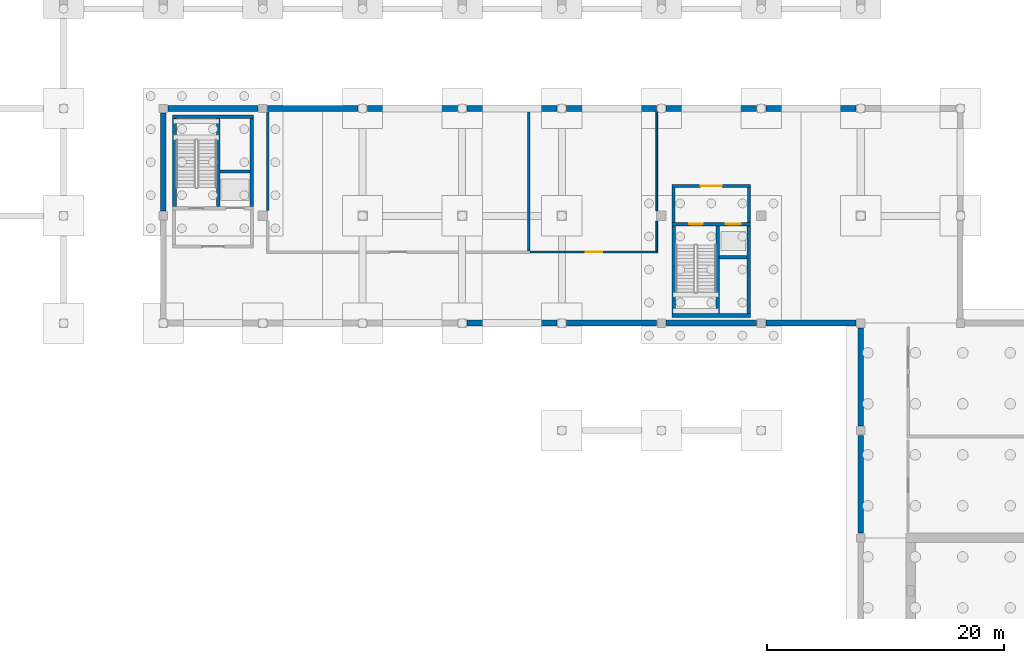
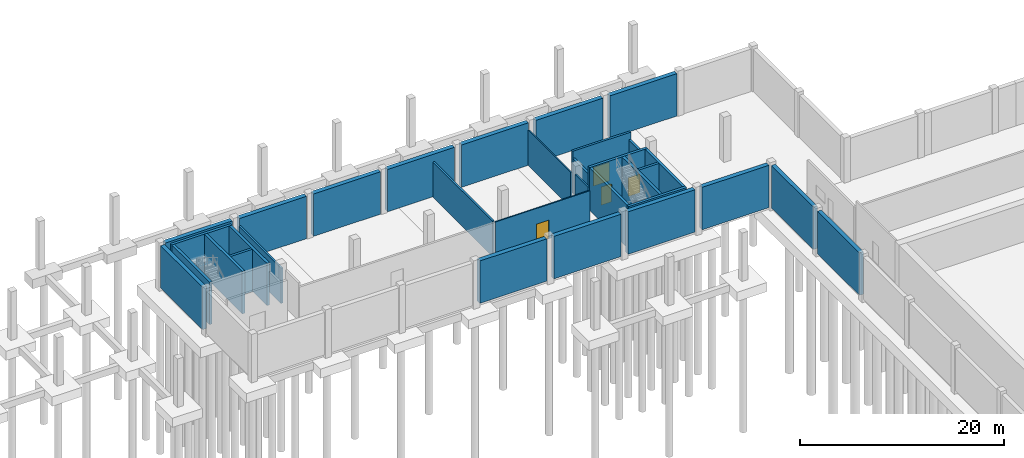
# One storey, part 10 of 18: 33 walls, 4 doors, 4 openings.
"""IFC4 building model written with IfcOpenShell, lengths in metres."""

import ifcopenshell
import ifcopenshell.guid

model = None  # the IFC model being written
_history = None  # IfcOwnerHistory: only IFC2X3 demands one
_inside = {}  # id of a spatial element -> (the spatial element, [elements in it])
_under = {}  # id of a project, library or spatial element -> (it, [spatial elements below it])
_declared = {}  # id of a project -> (the project, [libraries it declares])
_typed = {}  # id of a type object -> (the type object, [elements of that type])
_made_of = {}  # id of a material, layer set ... -> (it, [elements and type objects made of it])


def new_model(schema):
    """Start an empty IFC model of exactly this schema.

    Asked for "IFC4X3", IfcOpenShell would pick the latest addendum, in which some entities
    have other attributes; the version numbers below select the first issue.
    IFC2X3 requires an IfcOwnerHistory on every rooted entity: one is made here for all.
    """
    global model, _history
    if schema == "IFC4X3":
        model = ifcopenshell.file(schema_version=(4, 3, 0, 0))
    else:
        model = ifcopenshell.file(schema=schema)
    _inside.clear()
    _under.clear()
    _declared.clear()
    _typed.clear()
    _made_of.clear()
    _history = None
    if model.schema == "IFC2X3":
        org = make("IfcOrganization", Name="unknown")
        user = make(
            "IfcPersonAndOrganization",
            ThePerson=make("IfcPerson", FamilyName="unknown"),
            TheOrganization=org,
        )
        app = make(
            "IfcApplication",
            ApplicationDeveloper=org,
            Version="unknown",
            ApplicationFullName="unknown",
            ApplicationIdentifier="unknown",
        )
        _history = make(
            "IfcOwnerHistory",
            OwningUser=user,
            OwningApplication=app,
            ChangeAction="ADDED",
            CreationDate=0,
        )
    return model


def make(cls, **values):
    """One entity of the class cls with the attributes given. An attribute that is None is left unset."""
    return model.create_entity(
        cls, **{name: value for name, value in values.items() if value is not None}
    )


def rooted(cls, **values):
    """An entity with a GlobalId (a new one), such as an element, a storey or a relation."""
    return make(cls, GlobalId=ifcopenshell.guid.new(), OwnerHistory=_history, **values)


def si_unit(unit_type, name, prefix=None):
    """IfcSIUnit, for example si_unit("LENGTHUNIT", "METRE", prefix="MILLI")."""
    return make("IfcSIUnit", UnitType=unit_type, Prefix=prefix, Name=name)


def assignment(units):
    """IfcUnitAssignment: the units of a project."""
    return None if units is None else make("IfcUnitAssignment", Units=units)


def point(xyz):
    """IfcCartesianPoint."""
    return None if xyz is None else make("IfcCartesianPoint", Coordinates=xyz)


def direction(xyz):
    """IfcDirection."""
    return None if xyz is None else make("IfcDirection", DirectionRatios=xyz)


def frame(location, z_axis=None, x_axis=None):
    """IfcAxis2Placement3D, a coordinate frame: its origin and axes. An axis left out is left unset."""
    return make(
        "IfcAxis2Placement3D",
        Location=point(location),
        Axis=direction(z_axis),
        RefDirection=direction(x_axis),
    )


def frame_2d(location, x_axis=None):
    """IfcAxis2Placement2D, a coordinate frame in the plane: its origin and x axis."""
    return make(
        "IfcAxis2Placement2D", Location=point(location), RefDirection=direction(x_axis)
    )


def origin():
    """The frame at (0, 0, 0) with its axes left unset."""
    return frame((0.0, 0.0, 0.0))


def place(relative_to, where):
    """IfcLocalPlacement: puts the frame where relative to a parent placement (None: the world)."""
    return make(
        "IfcLocalPlacement", PlacementRelTo=relative_to, RelativePlacement=where
    )


def context(
    kind, dimensions, precision=None, world=None, true_north=None, identifier=None
):
    """IfcGeometricRepresentationContext, for example the 3D "Model" context."""
    return make(
        "IfcGeometricRepresentationContext",
        ContextIdentifier=identifier,
        ContextType=kind,
        CoordinateSpaceDimension=dimensions,
        Precision=precision,
        WorldCoordinateSystem=world,
        TrueNorth=true_north,
    )


def subcontext(parent, identifier, kind, view, scale=None):
    """IfcGeometricRepresentationSubContext, for example "Body" below "Model"."""
    return make(
        "IfcGeometricRepresentationSubContext",
        ContextIdentifier=identifier,
        ContextType=kind,
        ParentContext=parent,
        TargetScale=scale,
        TargetView=view,
    )


def project(units=None, contexts=None):
    """IfcProject with its units and contexts."""
    return rooted(
        "IfcProject",
        Name="project",
        RepresentationContexts=contexts,
        UnitsInContext=assignment(units),
    )


def spatial(cls, under=None, at=None, **own):
    """A site, building, storey or space (cls), placed at a placement, below another one or the project."""
    s = rooted(cls, ObjectPlacement=at, **own)
    if under is not None:
        _under.setdefault(under.id(), (under, []))[1].append(s)
    return s


def profile(cls, at=None, kind="AREA", **sizes):
    """A parametric profile (cls). Its sizes go by their IFC names, for example OverallWidth=200.0."""
    return make(cls, ProfileType=kind, Position=at, **sizes)


def rectangle(**sizes):
    """IfcRectangleProfileDef."""
    return profile("IfcRectangleProfileDef", **sizes)


def extrude(swept, where, along, depth):
    """IfcExtrudedAreaSolid: the profile swept, set in the frame where, extruded along a direction by depth."""
    return make(
        "IfcExtrudedAreaSolid",
        SweptArea=swept,
        Position=where,
        ExtrudedDirection=direction(along),
        Depth=depth,
    )


def shape(context_of_items, identifier, shape_type, items):
    """IfcShapeRepresentation: the items that make up one representation, for example the "Body"."""
    return make(
        "IfcShapeRepresentation",
        ContextOfItems=context_of_items,
        RepresentationIdentifier=identifier,
        RepresentationType=shape_type,
        Items=items,
    )


def material(Name=None, Category=None):
    """IfcMaterial."""
    return make("IfcMaterial", Name=Name, Category=Category)


def layer(
    of_material, thickness, ventilated=None, Name=None, Category=None, Priority=None
):
    """IfcMaterialLayer: one layer of a wall or slab, of a material (None: an air gap)."""
    return make(
        "IfcMaterialLayer",
        Material=of_material,
        LayerThickness=thickness,
        IsVentilated=ventilated,
        Name=Name,
        Category=Category,
        Priority=Priority,
    )


def layer_set(layers, Name=None):
    """IfcMaterialLayerSet."""
    return make("IfcMaterialLayerSet", MaterialLayers=layers, LayerSetName=Name)


def made_of(thing, what):
    """Note that an element or type object is made of a material, layer set ...; save() writes the relation."""
    if what is not None:
        _made_of.setdefault(what.id(), (what, []))[1].append(thing)
    return thing


def type_object(cls, material=None, **own):
    """A type object (cls), such as IfcWallType, which elements share."""
    return made_of(rooted(cls, **own), material)


def element(
    cls,
    number,
    at=None,
    inside=None,
    cuts=None,
    type_object=None,
    material=None,
    context=None,
    identifier="Body",
    shape_type=None,
    held_by="IfcProductDefinitionShape",
    body=None,
    shapes=None,
    **own,
):
    """One element of the class cls, such as IfcWall. Its Tag is "e" and its number.

    at: its placement. inside: the storey or other place that contains it. cuts: it is an
    opening in that element (IfcRelVoidsElement). A single representation is given by context,
    identifier, shape_type and body (its items); several are given by shapes. held_by: the class
    of the entity that holds the representations. save() writes the other relations.
    """
    e = rooted(cls, Tag="e%d" % number, ObjectPlacement=at, **own)
    if body is not None:
        shapes = [shape(context, identifier, shape_type, body)]
    if shapes is not None:
        e.Representation = make(held_by, Representations=shapes)
    if inside is not None:
        _inside.setdefault(inside.id(), (inside, []))[1].append(e)
    if cuts is not None:
        rooted(
            "IfcRelVoidsElement", RelatingBuildingElement=cuts, RelatedOpeningElement=e
        )
    if type_object is not None:
        _typed.setdefault(type_object.id(), (type_object, []))[1].append(e)
    return made_of(e, material)


def fill(opening, filler):
    """IfcRelFillsElement: the door or window that sits in an opening."""
    return rooted(
        "IfcRelFillsElement",
        RelatingOpeningElement=opening,
        RelatedBuildingElement=filler,
    )


def aggregate(whole, parts):
    """IfcRelAggregates: a whole, such as a stair, and the parts it consists of."""
    return rooted("IfcRelAggregates", RelatingObject=whole, RelatedObjects=parts)


def save(model, path):
    """Write the relations noted so far, then the file.

    IfcRelAggregates (storeys below a building ...), IfcRelContainedInSpatialStructure (elements
    in a storey), IfcRelDefinesByType, IfcRelAssociatesMaterial and IfcRelDeclares: one each for
    every whole, place, type object, material and project.
    """
    for whole, parts in _under.values():
        aggregate(whole, parts)
    for where, things in _inside.values():
        rooted(
            "IfcRelContainedInSpatialStructure",
            RelatedElements=things,
            RelatingStructure=where,
        )
    for kind, things in _typed.values():
        rooted("IfcRelDefinesByType", RelatedObjects=things, RelatingType=kind)
    for what, things in _made_of.values():
        rooted("IfcRelAssociatesMaterial", RelatedObjects=things, RelatingMaterial=what)
    for by, libraries in _declared.values():
        rooted("IfcRelDeclares", RelatingContext=by, RelatedDefinitions=libraries)
    model.write(path)


model = new_model("IFC4")

# Units and contexts
model_context = context("Model", 3, precision=1e-05, world=origin(), true_north=direction((0.0, 1.0)))
body_context = subcontext(model_context, "Body", "Model", "MODEL_VIEW")
ifc_project = project(units=[si_unit("LENGTHUNIT", "METRE"), si_unit("AREAUNIT", "SQUARE_METRE"), si_unit("VOLUMEUNIT", "CUBIC_METRE"), si_unit("PLANEANGLEUNIT", "RADIAN"), si_unit("MASSUNIT", "GRAM", prefix="KILO")], contexts=[model_context])

# Site, building, storey
site_placement = place(None, origin())
site = spatial("IfcSite", under=ifc_project, at=site_placement, CompositionType="ELEMENT")
building_placement = place(site_placement, origin())
building = spatial("IfcBuilding", under=site, at=building_placement, Name="Khurvash Pelagic Aquarium", CompositionType="ELEMENT")
storey_placement = place(building_placement, frame((0.0, 0.0, -5.39990234375)))
storey = spatial("IfcBuildingStorey", under=building, at=storey_placement, Name="B1", CompositionType="ELEMENT", Elevation=-5.39990234375)

# Wall, opening, door
ifc_material_1 = material(Name="Moisture-resistant gypsum and steel stud", Category="steel")
ifc_layer_1 = layer(ifc_material_1, 0.139892578125)
ifc_layer_set_1 = layer_set([ifc_layer_1], Name="Moisture-resistant gypsum and steel stud")
wall_type_1 = type_object("IfcWallType", Name="PW-140", PredefinedType="PARTITIONING", material=ifc_layer_set_1)
wall_1_placement = place(storey_placement, frame((98.1298828125, 90.050048828125, 0.0), z_axis=(0.0, 0.0, 1.0), x_axis=(1.0, 0.0, 0.0)))
wall_1 = element("IfcWall", 1, at=wall_1_placement, inside=storey, type_object=wall_type_1, Name="B1 Chiller and Heat Exchanger Plant Partition Wall PW-140", PredefinedType="PARTITIONING", context=body_context, shape_type="SweptSolid", body=[
    extrude(rectangle(XDim=10.740234375, YDim=0.139892578125, at=frame_2d((5.3701171875, 0.0))), origin(), (0.0, 0.0, 1.0), 4.1298828125),
])
opening_1_placement = place(wall_1_placement, frame((4.669921875, 0.0, 0.0)))
opening_1 = element("IfcOpeningElement", 2, at=opening_1_placement, cuts=wall_1, Name="Opening FD-03", PredefinedType="OPENING", context=body_context, shape_type="SweptSolid", body=[
    extrude(rectangle(XDim=1.39990234375, YDim=2.25, at=frame_2d((0.699951171875, 1.125))), frame((0.0, 0.080078125, 0.0), z_axis=(0.0, -1.0, 0.0), x_axis=(1.0, 0.0, 0.0)), (0.0, 0.0, 1.0), 0.159912109375),
])
ifc_material_2 = material(Name="Galvanised steel plant fire door", Category="steel")
door_type_1 = type_object("IfcDoorType", Name="FD-03", OperationType="NOTDEFINED", PredefinedType="DOOR", material=ifc_material_2)
door_1_placement = place(opening_1_placement, origin())
door_1 = element("IfcDoor", 3, at=door_1_placement, inside=storey, type_object=door_type_1, Name="DR-0022", OperationType="SINGLE_SWING_LEFT", OverallHeight=2.25, OverallWidth=1.39990234375, PredefinedType="DOOR", context=body_context, shape_type="SweptSolid", body=[
    extrude(rectangle(XDim=1.39990234375, YDim=2.25, at=frame_2d((0.699951171875, 1.125))), frame((0.0, 0.02490234375, 0.0), z_axis=(0.0, -1.0, 0.0), x_axis=(1.0, 0.0, 0.0)), (0.0, 0.0, 1.0), 0.050048828125),
])
fill(opening_1, door_1)

# Walls
wall_2_placement = place(storey_placement, frame((108.800048828125, 90.1201171875, 0.0), z_axis=(0.0, 0.0, 1.0), x_axis=(0.0, 1.0, 0.0)))
element("IfcWall", 4, at=wall_2_placement, inside=storey, type_object=wall_type_1, Name="B1 Chiller and Heat Exchanger Plant Partition Wall PW-140", PredefinedType="PARTITIONING", context=body_context, shape_type="SweptSolid", body=[
    extrude(rectangle(XDim=2.539794921875, YDim=0.139892578125, at=frame_2d((1.27001953125, 0.0))), origin(), (0.0, 0.0, 1.0), 4.52978515625),
])
wall_3_placement = place(storey_placement, frame((108.800048828125, 93.5400390625, 0.0), z_axis=(0.0, 0.0, 1.0), x_axis=(0.0, 1.0, 0.0)))
element("IfcWall", 5, at=wall_3_placement, inside=storey, type_object=wall_type_1, Name="B1 Chiller and Heat Exchanger Plant Partition Wall PW-140", PredefinedType="PARTITIONING", context=body_context, shape_type="SweptSolid", body=[
    extrude(rectangle(XDim=8.33984375, YDim=0.139892578125, at=frame_2d((4.169921875, 0.0))), origin(), (0.0, 0.0, 1.0), 4.22998046875),
])
ifc_material_3 = material(Name="AAC blockwork", Category="masonry")
ifc_layer_2 = layer(ifc_material_3, 0.215087890625)
ifc_layer_set_2 = layer_set([ifc_layer_2], Name="AAC blockwork")
wall_type_2 = type_object("IfcWallType", Name="PW-215", PredefinedType="PARTITIONING", material=ifc_layer_set_2)
wall_4_placement = place(storey_placement, frame((98.0, 90.156982421875, 0.0), z_axis=(0.0, 0.0, 1.0), x_axis=(0.0, 1.0, 0.0)))
element("IfcWall", 6, at=wall_4_placement, inside=storey, type_object=wall_type_2, Name="B1 Quarantine LSS Skid Plant Room Partition Wall PW-215", PredefinedType="PARTITIONING", context=body_context, shape_type="SweptSolid", body=[
    extrude(rectangle(XDim=11.68603515625, YDim=0.215087890625, at=frame_2d((5.843017578125, 0.0))), origin(), (0.0, 0.0, 1.0), 4.22998046875),
])
wall_5_placement = place(storey_placement, frame((76.0, 93.5400390625, 0.0), z_axis=(0.0, 0.0, 1.0), x_axis=(0.0, 1.0, 0.0)))
element("IfcWall", 7, at=wall_5_placement, inside=storey, type_object=wall_type_2, Name="B1 Quarantine LSS Skid Plant Room Partition Wall PW-215", PredefinedType="PARTITIONING", context=body_context, shape_type="SweptSolid", body=[
    extrude(rectangle(XDim=8.302978515625, YDim=0.215087890625, at=frame_2d((4.1513671875, 0.0))), origin(), (0.0, 0.0, 1.0), 4.22998046875),
])

# Wall, opening, door
ifc_layer_3 = layer(ifc_material_3, 0.25)
ifc_layer_set_3 = layer_set([ifc_layer_3], Name="AAC blockwork")
wall_type_3 = type_object("IfcWallType", Name="PW-250", PredefinedType="PARTITIONING", material=ifc_layer_set_3)
wall_6_placement = place(storey_placement, frame((110.10009765625, 95.625, 0.0), z_axis=(0.0, 0.0, 1.0), x_axis=(1.0, 0.0, 0.0)))
wall_6 = element("IfcWall", 8, at=wall_6_placement, inside=storey, type_object=wall_type_3, Name="B1 Core C6 Lobby Front Fire Wall PW-250", PredefinedType="PARTITIONING", context=body_context, shape_type="SweptSolid", body=[
    extrude(rectangle(XDim=6.599853515625, YDim=0.25, at=frame_2d((3.2998046875, 0.0))), origin(), (0.0, 0.0, 1.0), 5.079833984375),
])
opening_2_placement = place(wall_6_placement, frame((2.39990234375, 0.0, 0.0)))
opening_2 = element("IfcOpeningElement", 9, at=opening_2_placement, cuts=wall_6, Name="Opening FD-02", PredefinedType="OPENING", context=body_context, shape_type="SweptSolid", body=[
    extrude(rectangle(XDim=1.800048828125, YDim=2.25, at=frame_2d((0.89990234375, 1.125))), frame((0.0, 0.135009765625, 0.0), z_axis=(0.0, -1.0, 0.0), x_axis=(1.0, 0.0, 0.0)), (0.0, 0.0, 1.0), 0.27001953125),
])
ifc_material_4 = material(Name="Galvanised steel double fire door", Category="steel")
door_type_2 = type_object("IfcDoorType", Name="FD-02", OperationType="DOUBLE_DOOR_SINGLE_SWING", PredefinedType="DOOR", material=ifc_material_4)
door_2_placement = place(opening_2_placement, origin())
door_2 = element("IfcDoor", 10, at=door_2_placement, inside=storey, type_object=door_type_2, Name="DR-0031", OperationType="DOUBLE_DOOR_SINGLE_SWING", OverallHeight=2.25, OverallWidth=1.800048828125, PredefinedType="DOOR", context=body_context, shape_type="SweptSolid", body=[
    extrude(rectangle(XDim=1.800048828125, YDim=2.25, at=frame_2d((0.89990234375, 1.125))), frame((0.0, 0.02490234375, 0.0), z_axis=(0.0, -1.0, 0.0), x_axis=(1.0, 0.0, 0.0)), (0.0, 0.0, 1.0), 0.050048828125),
])
fill(opening_2, door_2)

# Walls
for number, where, z_axis, x_axis, name in (
    (11, (110.22509765625, 92.550048828125, 0.0), (0.0, 0.0, 1.0), (0.0, 1.0, 0.0), "B1 Core C6 Lobby West Fire Wall PW-250"),
    (12, (116.574951171875, 92.550048828125, 0.0), (0.0, 0.0, 1.0), (0.0, 1.0, 0.0), "B1 Core C6 Lobby East Fire Wall PW-250"),
):
    element("IfcWall", number, at=place(storey_placement, frame(where, z_axis=z_axis, x_axis=x_axis)), inside=storey, type_object=wall_type_3, Name=name, PredefinedType="PARTITIONING", context=body_context, shape_type="SweptSolid", body=[
        extrude(rectangle(XDim=2.949951171875, YDim=0.25, at=frame_2d((1.47509765625, 0.0))), origin(), (0.0, 0.0, 1.0), 4.22998046875),
    ])
ifc_material_5 = material(Name="Concrete C40/50", Category="concrete")
ifc_layer_4 = layer(ifc_material_5, 0.449951171875)
ifc_layer_set_4 = layer_set([ifc_layer_4], Name="Concrete C40/50")
wall_type_4 = type_object("IfcWallType", Name="RW-450", PredefinedType="USERDEFINED", material=ifc_layer_set_4)
for number, where, z_axis, x_axis, name in (
    (13, (126.0, 66.35009765625, 0.0), (0.0, 0.0, 1.0), (0.0, 1.0, 0.0), "B1 Perimeter Waterproofed Retaining Wall RW-450"),
    (14, (126.0, 75.39990234375, 0.0), (0.0, 0.0, 1.0), (0.0, 1.0, 0.0), "B1 Perimeter Waterproofed Retaining Wall RW-450"),
    (15, (67.199951171875, 93.5, 0.0), (0.0, 0.0, 1.0), (0.0, 1.0, 0.0), "B1 Perimeter Waterproofed Retaining Wall RW-450"),
):
    element("IfcWall", number, at=place(storey_placement, frame(where, z_axis=z_axis, x_axis=x_axis)), inside=storey, type_object=wall_type_4, Name=name, ObjectType="RETAINING WALL", PredefinedType="USERDEFINED", context=body_context, shape_type="SweptSolid", body=[
        extrude(rectangle(XDim=8.25, YDim=0.449951171875, at=frame_2d((4.125, 0.0))), origin(), (0.0, 0.0, 1.0), 5.079833984375),
    ])
ifc_material_6 = material(Name="Water-retaining concrete C40/50", Category="concrete")
ifc_layer_5 = layer(ifc_material_6, 0.5)
ifc_layer_set_5 = layer_set([ifc_layer_5], Name="Water-retaining concrete C40/50")
wall_type_5 = type_object("IfcWallType", Name="RW-500", PredefinedType="USERDEFINED", material=ifc_layer_set_5)
wall_7_placement = place(storey_placement, frame((125.60009765625, 84.050048828125, 0.0), z_axis=(0.0, 0.0, 1.0), x_axis=(-1.0, 0.0, 0.0)))
element("IfcWall", 16, at=wall_7_placement, inside=storey, type_object=wall_type_5, Name="B1 Perimeter Waterproofed Retaining Wall RW-500", ObjectType="RETAINING WALL", PredefinedType="USERDEFINED", context=body_context, shape_type="SweptSolid", body=[
    extrude(rectangle(XDim=7.60009765625, YDim=0.5, at=frame_2d((3.800048828125, 0.0))), origin(), (0.0, 0.0, 1.0), 5.079833984375),
])
wall_8_placement = place(storey_placement, frame((117.199951171875, 84.050048828125, 0.0), z_axis=(0.0, 0.0, 1.0), x_axis=(-1.0, 0.0, 0.0)))
element("IfcWall", 17, at=wall_8_placement, inside=storey, type_object=wall_type_5, Name="B1 Perimeter Waterproofed Retaining Wall RW-500", ObjectType="RETAINING WALL", PredefinedType="USERDEFINED", context=body_context, shape_type="SweptSolid", body=[
    extrude(rectangle(XDim=7.599853515625, YDim=0.5, at=frame_2d((3.7998046875, 0.0))), origin(), (0.0, 0.0, 1.0), 5.079833984375),
])
wall_9_placement = place(storey_placement, frame((108.800048828125, 84.050048828125, 0.0), z_axis=(0.0, 0.0, 1.0), x_axis=(-1.0, 0.0, 0.0)))
element("IfcWall", 18, at=wall_9_placement, inside=storey, type_object=wall_type_5, Name="B1 Perimeter Waterproofed Retaining Wall RW-500", ObjectType="RETAINING WALL", PredefinedType="USERDEFINED", context=body_context, shape_type="SweptSolid", body=[
    extrude(rectangle(XDim=7.60009765625, YDim=0.5, at=frame_2d((3.800048828125, 0.0))), origin(), (0.0, 0.0, 1.0), 5.079833984375),
])
for number, where, z_axis, x_axis, name in (
    (19, (100.39990234375, 84.050048828125, 0.0), (0.0, 0.0, 1.0), (-1.0, 0.0, 0.0), "B1 Perimeter Waterproofed Retaining Wall RW-500"),
    (20, (67.60009765625, 102.14990234375, 0.0), (0.0, 0.0, 1.0), (1.0, 0.0, 0.0), "B1 Perimeter Waterproofed Retaining Wall RW-500"),
):
    element("IfcWall", number, at=place(storey_placement, frame(where, z_axis=z_axis, x_axis=x_axis)), inside=storey, type_object=wall_type_5, Name=name, ObjectType="RETAINING WALL", PredefinedType="USERDEFINED", context=body_context, shape_type="SweptSolid", body=[
        extrude(rectangle(XDim=7.599853515625, YDim=0.5, at=frame_2d((3.7998046875, 0.0))), origin(), (0.0, 0.0, 1.0), 5.079833984375),
    ])
for number, where, z_axis, x_axis, name in (
    (21, (76.0, 102.14990234375, 0.0), (0.0, 0.0, 1.0), (1.0, 0.0, 0.0), "B1 Perimeter Waterproofed Retaining Wall RW-500"),
    (22, (84.39990234375, 102.14990234375, 0.0), (0.0, 0.0, 1.0), (1.0, 0.0, 0.0), "B1 Perimeter Waterproofed Retaining Wall RW-500"),
):
    element("IfcWall", number, at=place(storey_placement, frame(where, z_axis=z_axis, x_axis=x_axis)), inside=storey, type_object=wall_type_5, Name=name, ObjectType="RETAINING WALL", PredefinedType="USERDEFINED", context=body_context, shape_type="SweptSolid", body=[
        extrude(rectangle(XDim=7.60009765625, YDim=0.5, at=frame_2d((3.800048828125, 0.0))), origin(), (0.0, 0.0, 1.0), 5.079833984375),
    ])
wall_10_placement = place(storey_placement, frame((92.800048828125, 102.14990234375, 0.0), z_axis=(0.0, 0.0, 1.0), x_axis=(1.0, 0.0, 0.0)))
element("IfcWall", 23, at=wall_10_placement, inside=storey, type_object=wall_type_5, Name="B1 Perimeter Waterproofed Retaining Wall RW-500", ObjectType="RETAINING WALL", PredefinedType="USERDEFINED", context=body_context, shape_type="SweptSolid", body=[
    extrude(rectangle(XDim=7.599853515625, YDim=0.5, at=frame_2d((3.7998046875, 0.0))), origin(), (0.0, 0.0, 1.0), 5.079833984375),
])
wall_11_placement = place(storey_placement, frame((101.199951171875, 102.14990234375, 0.0), z_axis=(0.0, 0.0, 1.0), x_axis=(1.0, 0.0, 0.0)))
element("IfcWall", 24, at=wall_11_placement, inside=storey, type_object=wall_type_5, Name="B1 Perimeter Waterproofed Retaining Wall RW-500", ObjectType="RETAINING WALL", PredefinedType="USERDEFINED", context=body_context, shape_type="SweptSolid", body=[
    extrude(rectangle(XDim=7.60009765625, YDim=0.5, at=frame_2d((3.800048828125, 0.0))), origin(), (0.0, 0.0, 1.0), 5.079833984375),
])
wall_12_placement = place(storey_placement, frame((109.60009765625, 102.14990234375, 0.0), z_axis=(0.0, 0.0, 1.0), x_axis=(1.0, 0.0, 0.0)))
element("IfcWall", 25, at=wall_12_placement, inside=storey, type_object=wall_type_5, Name="B1 Perimeter Waterproofed Retaining Wall RW-500", ObjectType="RETAINING WALL", PredefinedType="USERDEFINED", context=body_context, shape_type="SweptSolid", body=[
    extrude(rectangle(XDim=7.599853515625, YDim=0.5, at=frame_2d((3.7998046875, 0.0))), origin(), (0.0, 0.0, 1.0), 5.079833984375),
])
wall_13_placement = place(storey_placement, frame((118.0, 102.14990234375, 0.0), z_axis=(0.0, 0.0, 1.0), x_axis=(1.0, 0.0, 0.0)))
element("IfcWall", 26, at=wall_13_placement, inside=storey, type_object=wall_type_5, Name="B1 Perimeter Waterproofed Retaining Wall RW-500", ObjectType="RETAINING WALL", PredefinedType="USERDEFINED", context=body_context, shape_type="SweptSolid", body=[
    extrude(rectangle(XDim=7.60009765625, YDim=0.5, at=frame_2d((3.800048828125, 0.0))), origin(), (0.0, 0.0, 1.0), 5.079833984375),
])
ifc_layer_6 = layer(ifc_material_5, 0.27490234375)
ifc_layer_set_6 = layer_set([ifc_layer_6], Name="Concrete C40/50")
wall_type_6 = type_object("IfcWallType", Name="SW-275", PredefinedType="SHEAR", material=ifc_layer_set_6)
wall_14_placement = place(storey_placement, frame((72.0, 96.837890625, 0.0), z_axis=(0.0, 0.0, 1.0), x_axis=(1.0, 0.0, 0.0)))
element("IfcWall", 27, at=wall_14_placement, inside=storey, type_object=wall_type_6, Name="B1 Lift GL-01 Shaft Rear Shear Wall SW-275", PredefinedType="SHEAR", context=body_context, shape_type="SweptSolid", body=[
    extrude(rectangle(XDim=2.5, YDim=0.27490234375, at=frame_2d((1.25, 0.0))), origin(), (0.0, 0.0, 1.0), 5.079833984375),
])
wall_15_placement = place(storey_placement, frame((114.10009765625, 89.612060546875, 0.0), z_axis=(0.0, 0.0, 1.0), x_axis=(1.0, 0.0, 0.0)))
element("IfcWall", 28, at=wall_15_placement, inside=storey, type_object=wall_type_6, Name="B1 Lift PL-03 Shaft Rear Shear Wall SW-275", PredefinedType="SHEAR", context=body_context, shape_type="SweptSolid", body=[
    extrude(rectangle(XDim=2.2998046875, YDim=0.27490234375, at=frame_2d((1.14990234375, 0.0))), origin(), (0.0, 0.0, 1.0), 5.079833984375),
])
ifc_layer_7 = layer(ifc_material_5, 0.300048828125)
ifc_layer_set_7 = layer_set([ifc_layer_7], Name="Concrete C40/50")
wall_type_7 = type_object("IfcWallType", Name="SW-300", PredefinedType="SHEAR", material=ifc_layer_set_7)
wall_16_placement = place(storey_placement, frame((68.0, 101.449951171875, 0.0), z_axis=(0.0, 0.0, 1.0), x_axis=(1.0, 0.0, 0.0)))
element("IfcWall", 29, at=wall_16_placement, inside=storey, type_object=wall_type_7, Name="B1 Core C4 North Shear Wall SW-300", PredefinedType="SHEAR", context=body_context, shape_type="SweptSolid", body=[
    extrude(rectangle(XDim=6.800048828125, YDim=0.300048828125, at=frame_2d((3.39990234375, 0.0))), origin(), (0.0, 0.0, 1.0), 5.079833984375),
])
for number, where, z_axis, x_axis, name in (
    (30, (68.14990234375, 93.89990234375, 0.0), (0.0, 0.0, 1.0), (0.0, 1.0, 0.0), "B1 Core C4 West Shear Wall SW-300"),
    (31, (74.64990234375, 93.89990234375, 0.0), (0.0, 0.0, 1.0), (0.0, 1.0, 0.0), "B1 Core C4 East Shear Wall SW-300"),
    (32, (71.85009765625, 93.89990234375, 0.0), (0.0, 0.0, 1.0), (0.0, 1.0, 0.0), "B1 Core C4 Divider Shear Wall SW-300"),
):
    element("IfcWall", number, at=place(storey_placement, frame(where, z_axis=z_axis, x_axis=x_axis)), inside=storey, type_object=wall_type_7, Name=name, PredefinedType="SHEAR", context=body_context, shape_type="SweptSolid", body=[
        extrude(rectangle(XDim=7.400146484375, YDim=0.300048828125, at=frame_2d((3.7001953125, 0.0))), origin(), (0.0, 0.0, 1.0), 5.079833984375),
    ])
wall_17_placement = place(storey_placement, frame((110.10009765625, 84.699951171875, 0.0), z_axis=(0.0, 0.0, 1.0), x_axis=(1.0, 0.0, 0.0)))
element("IfcWall", 33, at=wall_17_placement, inside=storey, type_object=wall_type_7, Name="B1 Core C6 South Shear Wall SW-300", PredefinedType="SHEAR", context=body_context, shape_type="SweptSolid", body=[
    extrude(rectangle(XDim=6.599853515625, YDim=0.300048828125, at=frame_2d((3.2998046875, 0.0))), origin(), (0.0, 0.0, 1.0), 5.079833984375),
])

# Wall, openings, doors
wall_18_placement = place(storey_placement, frame((110.10009765625, 92.39990234375, 0.0), z_axis=(0.0, 0.0, 1.0), x_axis=(1.0, 0.0, 0.0)))
wall_18 = element("IfcWall", 34, at=wall_18_placement, inside=storey, type_object=wall_type_7, Name="B1 Core C6 North Shear Wall SW-300", PredefinedType="SHEAR", context=body_context, shape_type="SweptSolid", body=[
    extrude(rectangle(XDim=6.599853515625, YDim=0.300048828125, at=frame_2d((3.2998046875, 0.0))), origin(), (0.0, 0.0, 1.0), 5.079833984375),
])
opening_3_placement = place(wall_18_placement, frame((1.425048828125, 0.0, 0.0)))
opening_3 = element("IfcOpeningElement", 35, at=opening_3_placement, cuts=wall_18, Name="Opening FD-01", PredefinedType="OPENING", context=body_context, shape_type="SweptSolid", body=[
    extrude(rectangle(XDim=1.14990234375, YDim=2.199951171875, at=frame_2d((0.574951171875, 1.10009765625))), frame((0.0, 0.16015625, 0.0), z_axis=(0.0, -1.0, 0.0), x_axis=(1.0, 0.0, 0.0)), (0.0, 0.0, 1.0), 0.320068359375),
])
opening_4_placement = place(wall_18_placement, frame((4.5, 0.0, 0.0)))
opening_4 = element("IfcOpeningElement", 36, at=opening_4_placement, cuts=wall_18, Name="Opening LD-02", PredefinedType="OPENING", context=body_context, shape_type="SweptSolid", body=[
    extrude(rectangle(XDim=1.300048828125, YDim=2.199951171875, at=frame_2d((0.64990234375, 1.10009765625))), frame((0.0, 0.16015625, 0.0), z_axis=(0.0, -1.0, 0.0), x_axis=(1.0, 0.0, 0.0)), (0.0, 0.0, 1.0), 0.320068359375),
])
ifc_material_7 = material(Name="Galvanised steel fire door", Category="steel")
door_type_3 = type_object("IfcDoorType", Name="FD-01", OperationType="NOTDEFINED", PredefinedType="DOOR", material=ifc_material_7)
door_3_placement = place(opening_3_placement, frame((1.14990234375, 0.0, 0.0), z_axis=(0.0, 0.0, 1.0), x_axis=(-1.0, 0.0, 0.0)))
door_3 = element("IfcDoor", 37, at=door_3_placement, inside=storey, type_object=door_type_3, Name="DR-0006", OperationType="SINGLE_SWING_RIGHT", OverallHeight=2.199951171875, OverallWidth=1.14990234375, PredefinedType="DOOR", context=body_context, shape_type="SweptSolid", body=[
    extrude(rectangle(XDim=1.14990234375, YDim=2.199951171875, at=frame_2d((0.574951171875, 1.10009765625))), frame((0.0, 0.02490234375, 0.0), z_axis=(0.0, -1.0, 0.0), x_axis=(1.0, 0.0, 0.0)), (0.0, 0.0, 1.0), 0.050048828125),
])
fill(opening_3, door_3)
ifc_material_8 = material(Name="Brushed stainless steel 316 lift landing door", Category="steel")
door_type_4 = type_object("IfcDoorType", Name="LD-02", OperationType="DOUBLE_DOOR_SLIDING", PredefinedType="DOOR", material=ifc_material_8)
door_4_placement = place(opening_4_placement, origin())
door_4 = element("IfcDoor", 38, at=door_4_placement, inside=storey, type_object=door_type_4, Name="DR-0012", OperationType="DOUBLE_DOOR_SLIDING", OverallHeight=2.199951171875, OverallWidth=1.300048828125, PredefinedType="DOOR", context=body_context, shape_type="SweptSolid", body=[
    extrude(rectangle(XDim=1.300048828125, YDim=2.199951171875, at=frame_2d((0.64990234375, 1.10009765625))), frame((0.0, 0.02490234375, 0.0), z_axis=(0.0, -1.0, 0.0), x_axis=(1.0, 0.0, 0.0)), (0.0, 0.0, 1.0), 0.050048828125),
])
fill(opening_4, door_4)

# Walls
for number, where, z_axis, x_axis, name in (
    (39, (110.25, 84.85009765625, 0.0), (0.0, 0.0, 1.0), (0.0, 1.0, 0.0), "B1 Core C6 West Shear Wall SW-300"),
    (40, (116.550048828125, 84.85009765625, 0.0), (0.0, 0.0, 1.0), (0.0, 1.0, 0.0), "B1 Core C6 East Shear Wall SW-300"),
    (41, (113.949951171875, 84.85009765625, 0.0), (0.0, 0.0, 1.0), (0.0, 1.0, 0.0), "B1 Core C6 Divider Shear Wall SW-300"),
):
    element("IfcWall", number, at=place(storey_placement, frame(where, z_axis=z_axis, x_axis=x_axis)), inside=storey, type_object=wall_type_7, Name=name, PredefinedType="SHEAR", context=body_context, shape_type="SweptSolid", body=[
        extrude(rectangle(XDim=7.39990234375, YDim=0.300048828125, at=frame_2d((3.699951171875, 0.0))), origin(), (0.0, 0.0, 1.0), 5.079833984375),
    ])

save(model, "model.ifc")
